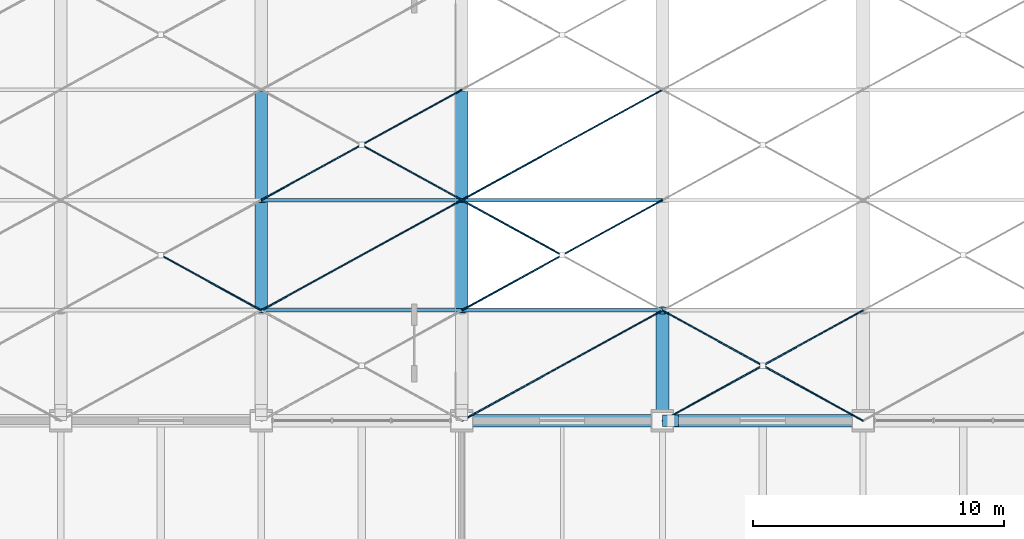
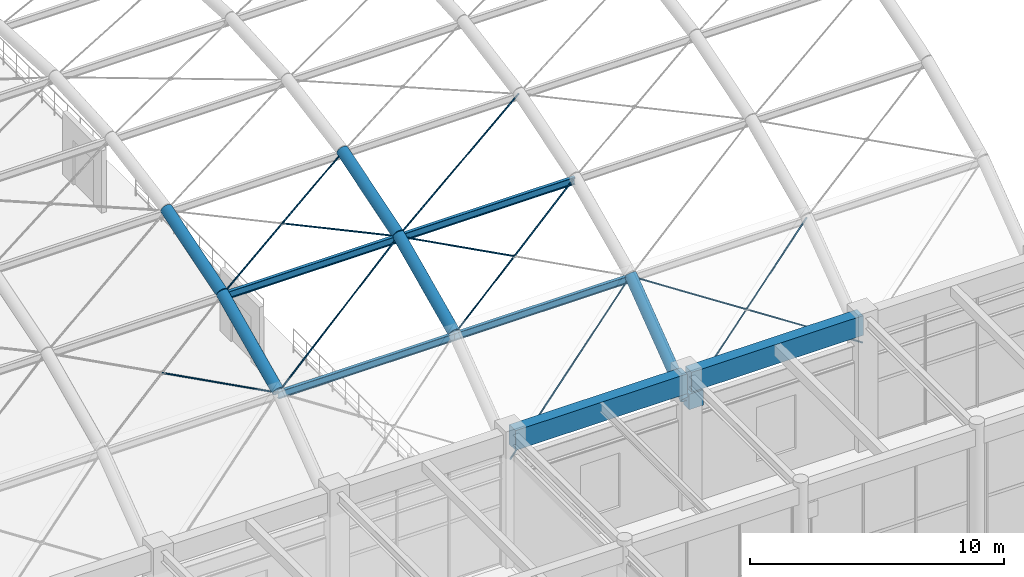
# One storey, part 48 of 163: 12 beams, 11 members.
"""IFC4 building model written with IfcOpenShell, lengths in metres."""

from ifc_helpers import new_model, si_unit, direction, frame, origin, origin_2d, place, context, subcontext, project, spatial, rectangle, circle, hollow_circle, i_section, extrude, material, material_profile, profile_set, type_object, element, save


model = new_model("IFC4")

# Units and contexts
model_context = context("Model", 3, precision=1e-05, world=origin(), true_north=direction((0.0, 1.0)))
body_context = subcontext(model_context, "Body", "Model", "MODEL_VIEW")
ifc_project = project(units=[si_unit("LENGTHUNIT", "METRE"), si_unit("AREAUNIT", "SQUARE_METRE"), si_unit("VOLUMEUNIT", "CUBIC_METRE"), si_unit("PLANEANGLEUNIT", "RADIAN"), si_unit("MASSUNIT", "GRAM", prefix="KILO")], contexts=[model_context])

# Site, building, storey
site_placement = place(None, origin())
site = spatial("IfcSite", under=ifc_project, at=site_placement, CompositionType="ELEMENT")
building_placement = place(site_placement, origin())
building = spatial("IfcBuilding", under=site, at=building_placement, Name="Varnabhumi Central Station", CompositionType="ELEMENT")
storey_placement = place(building_placement, frame((0.0, 0.0, 9.60009765625)))
storey = spatial("IfcBuildingStorey", under=building, at=storey_placement, Name="L02", CompositionType="ELEMENT", Elevation=9.60009765625)

# Beams
ifc_material_1 = material(Name="Structural steel E350", Category="steel")
ifc_material_profile_1 = material_profile(ifc_material_1, hollow_circle(Radius=0.25390625, WallThickness=0.02001953125, at=origin_2d()), Name="Structural steel E350", Category="steel")
ifc_profile_set_1 = profile_set([ifc_material_profile_1], Name="Structural steel E350")
beam_type_1 = type_object("IfcBeamType", Name="BM-ARCH-CHS508", PredefinedType="BEAM", material=ifc_profile_set_1)
beam_1_placement = place(storey_placement, frame((104.0, 40.39990234375, 8.270751953125), z_axis=(0.0, 0.906832494276, 0.421491194837), x_axis=(-1.0, 0.0, 0.0)))
element("IfcBeam", 1, at=beam_1_placement, inside=storey, type_object=beam_type_1, Name="Departure Concourse Vault Arch Rib 5 Seg 2", PredefinedType="BEAM", context=body_context, shape_type="SweptSolid", body=[
    extrude(hollow_circle(Radius=0.25390625, WallThickness=0.02001953125, at=origin_2d()), origin(), (0.0, 0.0, 1.0), 4.852294921875),
])
beam_2_placement = place(storey_placement, frame((104.0, 44.800048828125, 10.31591796875), z_axis=(0.0, 0.954719095828, 0.29750873611), x_axis=(-1.0, 0.0, 0.0)))
element("IfcBeam", 2, at=beam_2_placement, inside=storey, type_object=beam_type_1, Name="Departure Concourse Vault Arch Rib 5 Seg 3", PredefinedType="BEAM", context=body_context, shape_type="SweptSolid", body=[
    extrude(hollow_circle(Radius=0.25390625, WallThickness=0.02001953125, at=origin_2d()), origin(), (0.0, 0.0, 1.0), 4.608642578125),
])
beam_3_placement = place(storey_placement, frame((112.0, 40.39990234375, 8.270751953125), z_axis=(0.0, 0.906832494276, 0.421491194837), x_axis=(-1.0, 0.0, 0.0)))
element("IfcBeam", 3, at=beam_3_placement, inside=storey, type_object=beam_type_1, Name="Departure Concourse Vault Arch Rib 6 Seg 2", PredefinedType="BEAM", context=body_context, shape_type="SweptSolid", body=[
    extrude(hollow_circle(Radius=0.25390625, WallThickness=0.02001953125, at=origin_2d()), origin(), (0.0, 0.0, 1.0), 4.852294921875),
])
beam_4_placement = place(storey_placement, frame((112.0, 44.800048828125, 10.31591796875), z_axis=(0.0, 0.954719095828, 0.29750873611), x_axis=(-1.0, 0.0, 0.0)))
element("IfcBeam", 4, at=beam_4_placement, inside=storey, type_object=beam_type_1, Name="Departure Concourse Vault Arch Rib 6 Seg 3", PredefinedType="BEAM", context=body_context, shape_type="SweptSolid", body=[
    extrude(hollow_circle(Radius=0.25390625, WallThickness=0.02001953125, at=origin_2d()), origin(), (0.0, 0.0, 1.0), 4.608642578125),
])
beam_5_placement = place(storey_placement, frame((120.0, 36.0, 4.949951171875), z_axis=(0.0, 0.798178703242, 0.602420748058), x_axis=(-1.0, 0.0, 0.0)))
element("IfcBeam", 5, at=beam_5_placement, inside=storey, type_object=beam_type_1, Name="Departure Concourse Vault Arch Rib 7 Seg 1", PredefinedType="BEAM", context=body_context, shape_type="SweptSolid", body=[
    extrude(hollow_circle(Radius=0.25390625, WallThickness=0.02001953125, at=origin_2d()), origin(), (0.0, 0.0, 1.0), 5.512451171875),
])
ifc_material_profile_2 = material_profile(ifc_material_1, i_section(OverallWidth=0.139892578125, OverallDepth=0.35009765625, WebThickness=0.008056640625, FlangeThickness=0.01416015625, FilletRadius=0.013916015625, at=origin_2d()), Name="Structural steel E350", Category="steel")
ifc_profile_set_2 = profile_set([ifc_material_profile_2], Name="Structural steel E350")
beam_type_2 = type_object("IfcBeamType", Name="BM-PUR-ISMB350", PredefinedType="LINTEL", material=ifc_profile_set_2)
for number, where, z_axis, x_axis, name in (
    (6, (104.0, 40.39990234375, 8.095703125), (1.0, 0.0, 0.0), (0.0, 1.0, 0.0), "Departure Concourse Vault Purlin B5-L1"),
    (7, (104.0, 44.800048828125, 10.140869140625), (1.0, 0.0, 0.0), (0.0, 1.0, 0.0), "Departure Concourse Vault Purlin B5-L2"),
    (8, (112.0, 40.39990234375, 8.095703125), (1.0, 0.0, 0.0), (0.0, 1.0, 0.0), "Departure Concourse Vault Purlin B6-L1"),
    (9, (112.0, 44.800048828125, 10.140869140625), (1.0, 0.0, 0.0), (0.0, 1.0, 0.0), "Departure Concourse Vault Purlin B6-L2"),
):
    element("IfcBeam", number, at=place(storey_placement, frame(where, z_axis=z_axis, x_axis=x_axis)), inside=storey, type_object=beam_type_2, Name=name, PredefinedType="LINTEL", context=body_context, shape_type="SweptSolid", body=[
        extrude(i_section(OverallWidth=0.139892578125, OverallDepth=0.35009765625, WebThickness=0.008056640625, FlangeThickness=0.01416015625, FilletRadius=0.013916015625, at=origin_2d()), origin(), (0.0, 0.0, 1.0), 8.0),
    ])
ifc_material_2 = material(Name="Concrete M40", Category="concrete")
ifc_material_profile_3 = material_profile(ifc_material_2, rectangle(XDim=0.449951171875, YDim=0.75, at=origin_2d()), Name="Concrete M40", Category="concrete")
ifc_profile_set_3 = profile_set([ifc_material_profile_3], Name="Concrete M40")
beam_type_3 = type_object("IfcBeamType", Name="BM-RC-450x750", PredefinedType="BEAM", material=ifc_profile_set_3)
beam_6_placement = place(storey_placement, frame((120.0, 36.0, 4.94482421875), z_axis=(1.0, 0.0, 0.0), x_axis=(0.0, 1.0, 0.0)))
element("IfcBeam", 10, at=beam_6_placement, inside=storey, type_object=beam_type_3, Name="Movement Joint 650mm Corbel Seat L02-E-16", PredefinedType="BEAM", context=body_context, shape_type="SweptSolid", body=[
    extrude(rectangle(XDim=0.449951171875, YDim=0.75, at=origin_2d()), origin(), (0.0, 0.0, 1.0), 0.64990234375),
])
ifc_material_profile_4 = material_profile(ifc_material_2, rectangle(XDim=0.5, YDim=0.949951171875, at=origin_2d()), Name="Concrete M40", Category="concrete")
ifc_profile_set_4 = profile_set([ifc_material_profile_4], Name="Concrete M40")
beam_type_4 = type_object("IfcBeamType", Name="BM-RC-950x500", PredefinedType="BEAM", material=ifc_profile_set_4)
for number, where, z_axis, x_axis, name in (
    (11, (112.10009765625, 36.0, 5.875), (1.0, 0.0, 0.0), (0.0, 1.0, 0.0), "Beam L02-E:15-16"),
    (12, (120.10009765625, 36.0, 5.875), (1.0, 0.0, 0.0), (0.0, 1.0, 0.0), "Beam L02-E:16-17"),
):
    element("IfcBeam", number, at=place(storey_placement, frame(where, z_axis=z_axis, x_axis=x_axis)), inside=storey, type_object=beam_type_4, Name=name, PredefinedType="BEAM", context=body_context, shape_type="SweptSolid", body=[
        extrude(rectangle(XDim=0.5, YDim=0.949951171875, at=origin_2d()), origin(), (0.0, 0.0, 1.0), 7.7998046875),
    ])

# Members
ifc_material_3 = material(Name="Spiral-strand steel S1570", Category="steel")
ifc_material_profile_5 = material_profile(ifc_material_3, circle(Radius=0.027099609375, at=origin_2d()), Name="Spiral-strand steel S1570", Category="steel")
ifc_profile_set_5 = profile_set([ifc_material_profile_5], Name="Spiral-strand steel S1570")
member_type = type_object("IfcMemberType", Name="MBR-CABLE-D54", PredefinedType="USERDEFINED", material=ifc_profile_set_5)
member_1_placement = place(storey_placement, frame((100.0, 42.60009765625, 9.21337890625), z_axis=(0.855015442154, -0.470300241986, -0.218554972641), x_axis=(0.481951596342, 0.876197842262, 0.0)))
element("IfcMember", 13, at=member_1_placement, inside=storey, type_object=member_type, Name="Departure Concourse Vault Cable-Net Split Tie B4-P2B2", ObjectType="TENSION CABLE", PredefinedType="USERDEFINED", context=body_context, shape_type="SweptSolid", body=[
    extrude(circle(Radius=0.027099609375, at=origin_2d()), origin(), (0.0, 0.0, 1.0), 4.67822265625),
])
member_2_placement = place(storey_placement, frame((104.0, 40.39990234375, 8.19091796875), z_axis=(0.855025934416, 0.470279919921, 0.218557654623), x_axis=(-0.481931067474, 0.876209133828, 0.0)))
element("IfcMember", 14, at=member_2_placement, inside=storey, type_object=member_type, Name="Departure Concourse Vault Cable-Net Tie B5-P2A", ObjectType="TENSION CABLE", PredefinedType="USERDEFINED", context=body_context, shape_type="SweptSolid", body=[
    extrude(circle(Radius=0.027099609375, at=origin_2d()), origin(), (0.0, 0.0, 1.0), 9.3564453125),
])
member_3_placement = place(storey_placement, frame((104.0, 44.800048828125, 10.23583984375), z_axis=(0.866504286303, 0.476566780022, 0.148507326412), x_axis=(-0.481910537812, 0.876220425204, 0.0)))
element("IfcMember", 15, at=member_3_placement, inside=storey, type_object=member_type, Name="Departure Concourse Vault Cable-Net Tie B5-P3A", ObjectType="TENSION CABLE", PredefinedType="USERDEFINED", context=body_context, shape_type="SweptSolid", body=[
    extrude(circle(Radius=0.027099609375, at=origin_2d()), origin(), (0.0, 0.0, 1.0), 9.232421875),
])
member_4_placement = place(storey_placement, frame((108.0, 47.0, 10.92138671875), z_axis=(0.866504286303, -0.476566780022, -0.148507326412), x_axis=(0.481910537812, 0.876220425204, 0.0)))
element("IfcMember", 16, at=member_4_placement, inside=storey, type_object=member_type, Name="Departure Concourse Vault Cable-Net Split Tie B5-P3B2", ObjectType="TENSION CABLE", PredefinedType="USERDEFINED", context=body_context, shape_type="SweptSolid", body=[
    extrude(circle(Radius=0.027099609375, at=origin_2d()), origin(), (0.0, 0.0, 1.0), 4.6162109375),
])
member_5_placement = place(storey_placement, frame((112.0, 36.0, 4.869873046875), z_axis=(0.823437214719, 0.452880416372, 0.341833997553), x_axis=(-0.481910537812, 0.876220425204, 0.0)))
element("IfcMember", 17, at=member_5_placement, inside=storey, type_object=member_type, Name="Departure Concourse Vault Cable-Net Tie B6-P1A", ObjectType="TENSION CABLE", PredefinedType="USERDEFINED", context=body_context, shape_type="SweptSolid", body=[
    extrude(circle(Radius=0.027099609375, at=origin_2d()), origin(), (0.0, 0.0, 1.0), 9.71533203125),
])
member_6_placement = place(storey_placement, frame((112.0, 40.39990234375, 8.19091796875), z_axis=(0.855025934416, 0.470279919921, 0.218557654623), x_axis=(-0.481931067474, 0.876209133828, 0.0)))
element("IfcMember", 18, at=member_6_placement, inside=storey, type_object=member_type, Name="Departure Concourse Vault Cable-Net Tie B6-P2A", ObjectType="TENSION CABLE", PredefinedType="USERDEFINED", context=body_context, shape_type="SweptSolid", body=[
    extrude(circle(Radius=0.027099609375, at=origin_2d()), origin(), (0.0, 0.0, 1.0), 9.3564453125),
])
member_7_placement = place(storey_placement, frame((112.0, 44.800048828125, 10.23583984375), z_axis=(0.855036426483, -0.470259597109, -0.218560336554), x_axis=(0.481910537812, 0.876220425204, 0.0)))
element("IfcMember", 19, at=member_7_placement, inside=storey, type_object=member_type, Name="Departure Concourse Vault Cable-Net Split Tie B6-P2B1", ObjectType="TENSION CABLE", PredefinedType="USERDEFINED", context=body_context, shape_type="SweptSolid", body=[
    extrude(circle(Radius=0.027099609375, at=origin_2d()), origin(), (0.0, 0.0, 1.0), 4.67822265625),
])
member_8_placement = place(storey_placement, frame((112.0, 44.800048828125, 10.23583984375), z_axis=(0.866504286303, 0.476566780022, 0.148507326412), x_axis=(-0.481910537812, 0.876220425204, 0.0)))
element("IfcMember", 20, at=member_8_placement, inside=storey, type_object=member_type, Name="Departure Concourse Vault Cable-Net Tie B6-P3A", ObjectType="TENSION CABLE", PredefinedType="USERDEFINED", context=body_context, shape_type="SweptSolid", body=[
    extrude(circle(Radius=0.027099609375, at=origin_2d()), origin(), (0.0, 0.0, 1.0), 9.232421875),
])
member_9_placement = place(storey_placement, frame((120.0, 36.0, 4.869873046875), z_axis=(0.823437214719, 0.452880416372, 0.341833997553), x_axis=(-0.481910537812, 0.876220425204, 0.0)))
element("IfcMember", 21, at=member_9_placement, inside=storey, type_object=member_type, Name="Departure Concourse Vault Cable-Net Tie B7-P1A", ObjectType="TENSION CABLE", PredefinedType="USERDEFINED", context=body_context, shape_type="SweptSolid", body=[
    extrude(circle(Radius=0.027099609375, at=origin_2d()), origin(), (0.0, 0.0, 1.0), 9.71533203125),
])
for number, where, z_axis, x_axis, name in (
    (22, (120.0, 40.39990234375, 8.19091796875), (0.823430141181, -0.452876526012, -0.341856190205), (0.481910537812, 0.876220425204, 0.0), "Departure Concourse Vault Cable-Net Split Tie B7-P1B1"),
    (23, (124.0, 38.199951171875, 6.5302734375), (0.823444287919, -0.452884306545, -0.34181180433), (0.481910537812, 0.876220425204, 0.0), "Departure Concourse Vault Cable-Net Split Tie B7-P1B2"),
):
    element("IfcMember", number, at=place(storey_placement, frame(where, z_axis=z_axis, x_axis=x_axis)), inside=storey, type_object=member_type, Name=name, ObjectType="TENSION CABLE", PredefinedType="USERDEFINED", context=body_context, shape_type="SweptSolid", body=[
        extrude(circle(Radius=0.027099609375, at=origin_2d()), origin(), (0.0, 0.0, 1.0), 4.857666015625),
    ])

save(model, "model.ifc")
